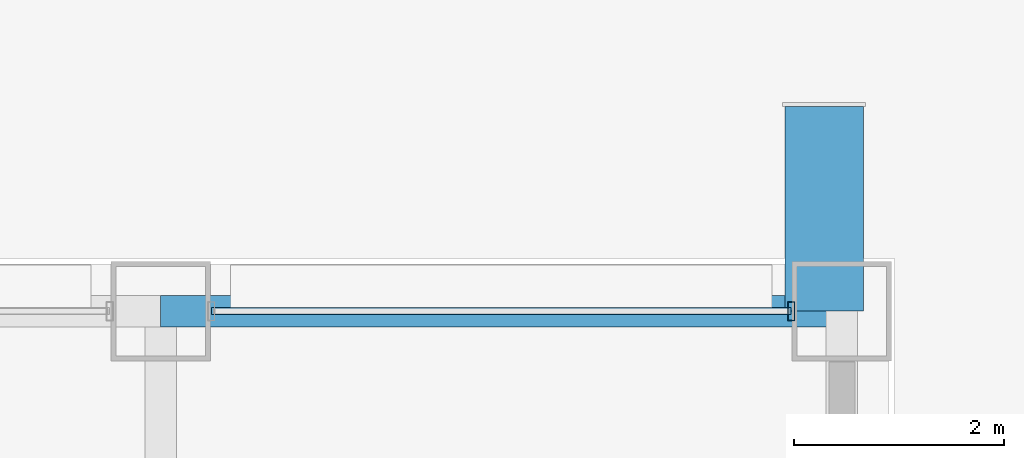
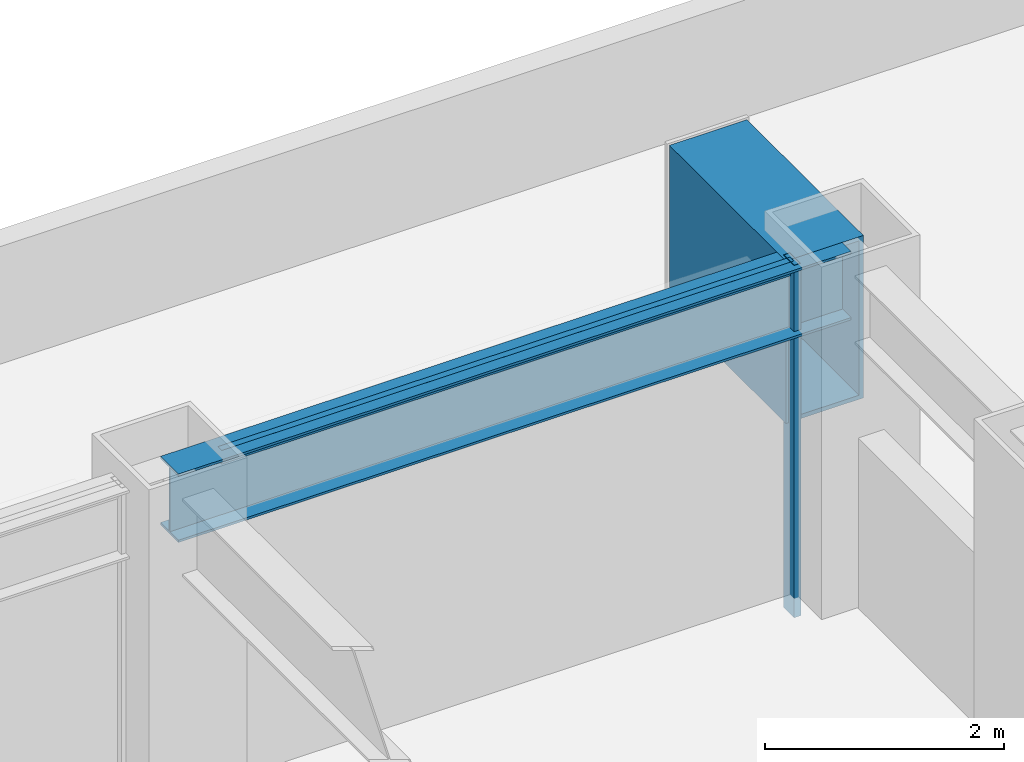
# One storey, part 25 of 33: 2 beams, 2 members, 1 element without a shape of its own.
"""IFC4 building model written with IfcOpenShell, lengths in metres."""

from ifc_helpers import new_model, si_unit, direction, frame, origin, origin_2d, place, context, subcontext, project, spatial, hollow_rectangle, i_section, extrude, material, layer, layer_set, material_profile, profile_set, type_object, element, aggregate, save


model = new_model("IFC4")

# Units and contexts
model_context = context("Model", 3, precision=1e-05, world=origin(), true_north=direction((0.0, 1.0)))
body_context = subcontext(model_context, "Body", "Model", "MODEL_VIEW")
ifc_project = project(units=[si_unit("LENGTHUNIT", "METRE"), si_unit("AREAUNIT", "SQUARE_METRE"), si_unit("VOLUMEUNIT", "CUBIC_METRE"), si_unit("PLANEANGLEUNIT", "RADIAN"), si_unit("MASSUNIT", "GRAM", prefix="KILO")], contexts=[model_context])

# Site, building, storey
site_placement = place(None, origin())
site = spatial("IfcSite", under=ifc_project, at=site_placement, CompositionType="ELEMENT")
building_placement = place(site_placement, origin())
building = spatial("IfcBuilding", under=site, at=building_placement, Name="Brelmoor Portico Tower", CompositionType="ELEMENT")
storey_placement = place(building_placement, frame((0.0, 0.0, 24.0)))
storey = spatial("IfcBuildingStorey", under=building, at=storey_placement, Name="L05", CompositionType="ELEMENT", Elevation=24.0)

# Beams
ifc_material_1 = material(Name="Steel Q355B", Category="steel")
ifc_material_profile_1 = material_profile(ifc_material_1, hollow_rectangle(XDim=0.75, YDim=1.659912109375, WallThickness=0.0419921875, at=origin_2d()), Name="BOX 750x1660x42")
ifc_profile_set_1 = profile_set([ifc_material_profile_1], Name="Steel Q355B")
beam_type_1 = type_object("IfcBeamType", Name="BM-PF-CANT", PredefinedType="BEAM", material=ifc_profile_set_1)
beam_1_placement = place(storey_placement, frame((20.8798828125, 21.550048828125, 2.570068359375), z_axis=(0.0, 1.0, 0.0), x_axis=(-1.0, 0.0, 0.0)))
element("IfcBeam", 1, at=beam_1_placement, inside=storey, type_object=beam_type_1, Name="L05 Picture-Frame Outrigger Transfer Cantilever PFB-04", PredefinedType="BEAM", context=body_context, shape_type="SweptSolid", body=[
    extrude(hollow_rectangle(XDim=0.75, YDim=1.659912109375, WallThickness=0.0419921875, at=origin_2d()), origin(), (0.0, 0.0, 1.0), 1.949951171875),
])
ifc_material_profile_2 = material_profile(ifc_material_1, i_section(OverallWidth=0.300048828125, OverallDepth=0.699951171875, WebThickness=0.012939453125, FlangeThickness=0.02392578125, at=origin_2d()), Name="HN 700x300x13x24")
ifc_profile_set_2 = profile_set([ifc_material_profile_2], Name="Steel Q355B")
beam_type_2 = type_object("IfcBeamType", Name="BM-SP-700", PredefinedType="SPANDREL", material=ifc_profile_set_2)
beam_2_placement = place(storey_placement, frame((14.550048828125, 21.550048828125, 3.050048828125), z_axis=(1.0, 0.0, 0.0), x_axis=(0.0, 1.0, 0.0)))
element("IfcBeam", 2, at=beam_2_placement, inside=storey, type_object=beam_type_2, Name="L05 Perimeter Spandrel Beam SP-14", PredefinedType="SPANDREL", context=body_context, shape_type="SweptSolid", body=[
    extrude(i_section(OverallWidth=0.300048828125, OverallDepth=0.699951171875, WebThickness=0.012939453125, FlangeThickness=0.02392578125, at=origin_2d()), origin(), (0.0, 0.0, 1.0), 6.5),
])

# Curtain wall, members
ifc_material_2 = material(Name="Anodised Aluminium Alloy 6063-T6", Category="aluminium")
ifc_layer = layer(ifc_material_2, 0.179931640625)
ifc_layer_set = layer_set([ifc_layer], Name="Anodised Aluminium Alloy 6063-T6")
curtain_wall_type = type_object("IfcCurtainWallType", Name="CW-TOWER-Z1-XB", PredefinedType="NOTDEFINED", material=ifc_layer_set)
curtain_wall_placement = place(storey_placement, origin())
curtain_wall = element("IfcCurtainWall", 3, at=curtain_wall_placement, inside=storey, type_object=curtain_wall_type, Name="L05 Curtain Wall CW-L05-02-5", PredefinedType="NOTDEFINED")
ifc_material_profile_3 = material_profile(ifc_material_2, hollow_rectangle(XDim=0.06494140625, YDim=0.179931640625, WallThickness=0.00390625, at=origin_2d()), Name="ALU MULLION 65x180")
ifc_profile_set_3 = profile_set([ifc_material_profile_3], Name="Anodised Aluminium Alloy 6063-T6")
member_type_1 = type_object("IfcMemberType", Name="MB-CW-MULL-180", PredefinedType="MULLION", material=ifc_profile_set_3)
member_1_placement = place(storey_placement, frame((20.56494140625, 21.550048828125, -0.199951171875), z_axis=(0.0, 0.0, 1.0), x_axis=(1.0, 0.0, 0.0)))
member_1 = element("IfcMember", 4, at=member_1_placement, type_object=member_type_1, Name="CW-L05-02-5 Mullion 01", PredefinedType="MULLION", context=body_context, shape_type="SweptSolid", body=[
    extrude(hollow_rectangle(XDim=0.06494140625, YDim=0.179931640625, WallThickness=0.00390625, at=origin_2d()), origin(), (0.0, 0.0, 1.0), 3.599853515625),
])
ifc_material_profile_4 = material_profile(ifc_material_2, hollow_rectangle(XDim=0.06494140625, YDim=0.139892578125, WallThickness=0.00390625, at=origin_2d()), Name="ALU TRANSOM 65x140")
ifc_profile_set_4 = profile_set([ifc_material_profile_4], Name="Anodised Aluminium Alloy 6063-T6")
member_type_2 = type_object("IfcMemberType", Name="MB-CW-TRAN-140", PredefinedType="USERDEFINED", material=ifc_profile_set_4)
member_2_placement = place(storey_placement, frame((15.034912109375, 21.550048828125, 3.330078125), z_axis=(1.0, 0.0, 0.0), x_axis=(0.0, 1.0, 0.0)))
member_2 = element("IfcMember", 5, at=member_2_placement, type_object=member_type_2, Name="CW-L05-02-5 Transom 1-00", ObjectType="TRANSOM", PredefinedType="USERDEFINED", context=body_context, shape_type="SweptSolid", body=[
    extrude(hollow_rectangle(XDim=0.06494140625, YDim=0.139892578125, WallThickness=0.00390625, at=origin_2d()), origin(), (0.0, 0.0, 1.0), 5.530029296875),
])
aggregate(curtain_wall, [member_1, member_2])

save(model, "model.ifc")
